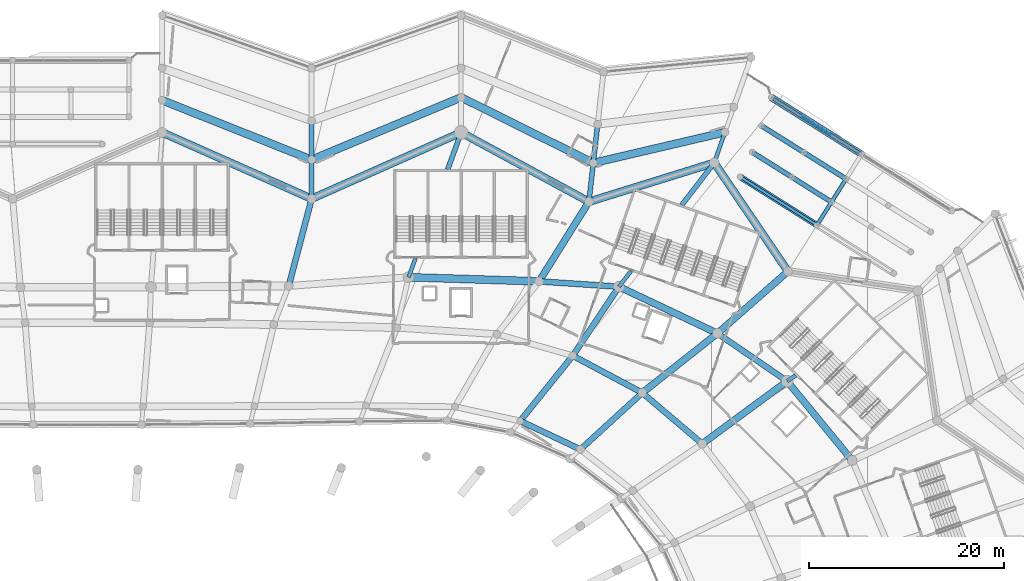
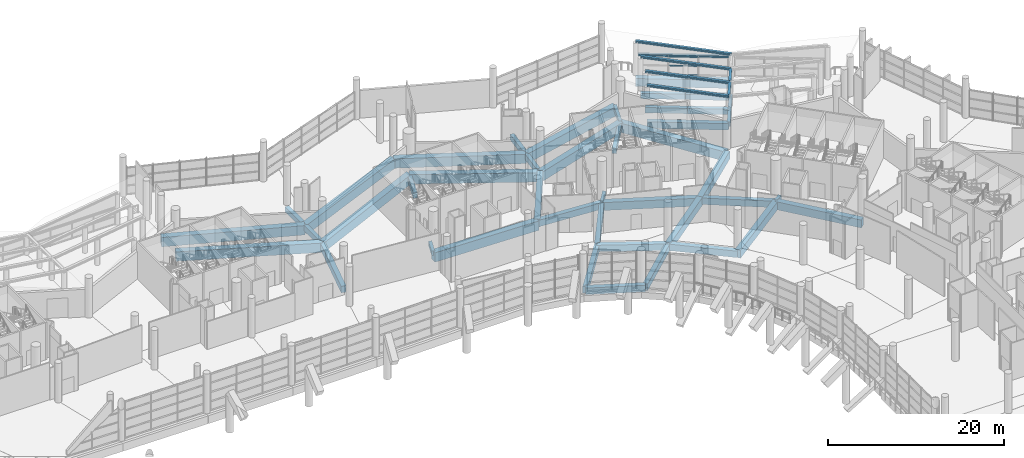
# One storey, part 105 of 271: 52 beams, 3 members, 1 element without a shape of its own.
"""IFC4 building model written with IfcOpenShell, lengths in metres."""

from ifc_helpers import new_model, si_unit, direction, frame, origin, origin_2d, place, context, subcontext, project, spatial, rectangle, i_section, extrude, material, layer, layer_set, material_profile, profile_set, type_object, element, aggregate, save


model = new_model("IFC4")

# Units and contexts
model_context = context("Model", 3, precision=1e-05, world=origin(), true_north=direction((0.0, 1.0)))
body_context = subcontext(model_context, "Body", "Model", "MODEL_VIEW")
ifc_project = project(units=[si_unit("LENGTHUNIT", "METRE"), si_unit("AREAUNIT", "SQUARE_METRE"), si_unit("VOLUMEUNIT", "CUBIC_METRE"), si_unit("PLANEANGLEUNIT", "RADIAN"), si_unit("MASSUNIT", "GRAM", prefix="KILO")], contexts=[model_context])

# Site, building, storey
site_placement = place(None, origin())
site = spatial("IfcSite", under=ifc_project, at=site_placement, CompositionType="ELEMENT")
building_placement = place(site_placement, origin())
building = spatial("IfcBuilding", under=site, at=building_placement, Name="Meseta Stadium", CompositionType="ELEMENT")
storey_placement = place(building_placement, frame((0.0, 0.0, 6.5)))
storey = spatial("IfcBuildingStorey", under=building, at=storey_placement, Name="L01", CompositionType="ELEMENT", Elevation=6.5)

# Beams
ifc_material_1 = material(Name="Steel S355", Category="steel")
ifc_material_profile_1 = material_profile(ifc_material_1, i_section(OverallWidth=0.300048828125, OverallDepth=0.300048828125, WebThickness=0.010986328125, FlangeThickness=0.01904296875, FilletRadius=0.027099609375, at=origin_2d()), Name="HEB 300")
ifc_profile_set_1 = profile_set([ifc_material_profile_1], Name="Steel S355")
beam_type_1 = type_object("IfcBeamType", Name="Gate roof beam HEB 300", PredefinedType="BEAM", material=ifc_profile_set_1)
beam_1_placement = place(storey_placement, frame((74.836181640625, 95.892578125, 3.256591796875), z_axis=(0.531913691205, 0.84656317679, -0.019965290163), x_axis=(-0.846731952713, 0.532019736715, 0.0)))
element("IfcBeam", 1, at=beam_1_placement, inside=storey, type_object=beam_type_1, Name="Gate 2 valley beam", PredefinedType="BEAM", context=body_context, shape_type="SweptSolid", body=[
    extrude(i_section(OverallWidth=0.300048828125, OverallDepth=0.300048828125, WebThickness=0.010986328125, FlangeThickness=0.01904296875, FilletRadius=0.027099609375, at=origin_2d()), origin(), (0.0, 0.0, 1.0), 2.80029296875),
])
beam_2_placement = place(storey_placement, frame((76.32568359375, 98.26318359375, 3.20068359375), z_axis=(0.531936018679, 0.846547144771, -0.020050030203), x_axis=(-0.846717353638, 0.532042971054, 0.0)))
element("IfcBeam", 2, at=beam_2_placement, inside=storey, type_object=beam_type_1, Name="Gate 2 valley beam", PredefinedType="BEAM", context=body_context, shape_type="SweptSolid", body=[
    extrude(i_section(OverallWidth=0.300048828125, OverallDepth=0.300048828125, WebThickness=0.010986328125, FlangeThickness=0.01904296875, FilletRadius=0.027099609375, at=origin_2d()), origin(), (0.0, 0.0, 1.0), 2.800537109375),
])
beam_3_placement = place(storey_placement, frame((79.15771484375, 103.333984375, 2.774658203125), z_axis=(-0.846732336333, 0.532019126168, 0.0), x_axis=(-0.532019126168, -0.846732336333, 0.0)))
element("IfcBeam", 3, at=beam_3_placement, inside=storey, type_object=beam_type_1, Name="Gate 2 head beam", PredefinedType="BEAM", context=body_context, shape_type="SweptSolid", body=[
    extrude(i_section(OverallWidth=0.300048828125, OverallDepth=0.300048828125, WebThickness=0.010986328125, FlangeThickness=0.01904296875, FilletRadius=0.027099609375, at=origin_2d()), origin(), (0.0, 0.0, 1.0), 10.333740234375),
])
ifc_material_2 = material(Name="Steel S355", Category="steel")
ifc_material_profile_2 = material_profile(ifc_material_2, i_section(OverallWidth=0.300048828125, OverallDepth=0.300048828125, WebThickness=0.010986328125, FlangeThickness=0.01904296875, FilletRadius=0.027099609375, at=origin_2d()), Name="HEB 300")
ifc_profile_set_2 = profile_set([ifc_material_profile_2], Name="Steel S355")
beam_type_2 = type_object("IfcBeamType", Name="Gate roof beam HEB 300 rafter", PredefinedType="BEAM", material=ifc_profile_set_2)
beam_4_placement = place(storey_placement, frame((74.836181640625, 95.892578125, 3.256591796875), z_axis=(-0.838547847595, 0.526890593988, 0.138649952255), x_axis=(-0.532029224003, -0.846725991574, 0.0)))
element("IfcBeam", 4, at=beam_4_placement, inside=storey, type_object=beam_type_2, Name="Gate 2 roof rafter", PredefinedType="BEAM", context=body_context, shape_type="SweptSolid", body=[
    extrude(i_section(OverallWidth=0.300048828125, OverallDepth=0.300048828125, WebThickness=0.010986328125, FlangeThickness=0.01904296875, FilletRadius=0.027099609375, at=origin_2d()), origin(), (0.0, 0.0, 1.0), 9.401123046875),
])
for number, where, z_axis, x_axis, name in (
    (5, (76.32568359375, 98.26318359375, 3.20068359375), (-0.83854094542, 0.526906039336, 0.138632999558), (-0.532043544989, -0.846716993, 0.0), "Gate 2 roof rafter"),
    (6, (72.25732421875, 100.819580078125, 3.873291015625), (-0.83854094542, 0.526906039336, 0.138632999558), (-0.532043544989, -0.846716993, 0.0), "Gate 2 roof rafter"),
):
    element("IfcBeam", number, at=place(storey_placement, frame(where, z_axis=z_axis, x_axis=x_axis)), inside=storey, type_object=beam_type_2, Name=name, PredefinedType="BEAM", context=body_context, shape_type="SweptSolid", body=[
        extrude(i_section(OverallWidth=0.300048828125, OverallDepth=0.300048828125, WebThickness=0.010986328125, FlangeThickness=0.01904296875, FilletRadius=0.027099609375, at=origin_2d()), origin(), (0.0, 0.0, 1.0), 4.851806640625),
    ])
beam_5_placement = place(storey_placement, frame((77.8154296875, 100.634033203125, 3.14453125), z_axis=(-0.838520268378, 0.526929684742, 0.13866818978), x_axis=(-0.532070067872, -0.846700326488, 0.0)))
element("IfcBeam", 7, at=beam_5_placement, inside=storey, type_object=beam_type_2, Name="Gate 2 roof rafter", PredefinedType="BEAM", context=body_context, shape_type="SweptSolid", body=[
    extrude(i_section(OverallWidth=0.300048828125, OverallDepth=0.300048828125, WebThickness=0.010986328125, FlangeThickness=0.01904296875, FilletRadius=0.027099609375, at=origin_2d()), origin(), (0.0, 0.0, 1.0), 5.17431640625),
])
beam_6_placement = place(storey_placement, frame((73.4765625, 103.360595703125, 3.862060546875), z_axis=(-0.838555120685, 0.526874755679, 0.138666150886), x_axis=(-0.532014449592, -0.846735274702, 0.0)))
element("IfcBeam", 8, at=beam_6_placement, inside=storey, type_object=beam_type_2, Name="Gate 2 roof rafter", PredefinedType="BEAM", context=body_context, shape_type="SweptSolid", body=[
    extrude(i_section(OverallWidth=0.300048828125, OverallDepth=0.300048828125, WebThickness=0.010986328125, FlangeThickness=0.01904296875, FilletRadius=0.027099609375, at=origin_2d()), origin(), (0.0, 0.0, 1.0), 5.174560546875),
])
beam_7_placement = place(storey_placement, frame((79.41162109375, 103.17431640625, 3.084716796875), z_axis=(-0.838543051713, 0.526897818913, 0.13865150143), x_axis=(-0.532036635909, -0.846721334354, 0.0)))
element("IfcBeam", 9, at=beam_7_placement, inside=storey, type_object=beam_type_2, Name="Gate 2 roof rafter", PredefinedType="BEAM", context=body_context, shape_type="SweptSolid", body=[
    extrude(i_section(OverallWidth=0.300048828125, OverallDepth=0.300048828125, WebThickness=0.010986328125, FlangeThickness=0.01904296875, FilletRadius=0.027099609375, at=origin_2d()), origin(), (0.0, 0.0, 1.0), 11.040283203125),
])
ifc_material_3 = material(Name="Concrete C40/50", Category="concrete")
ifc_material_profile_3 = material_profile(ifc_material_3, rectangle(XDim=0.39990234375, YDim=0.60009765625, at=origin_2d()), Name="RC 400x600")
ifc_profile_set_3 = profile_set([ifc_material_profile_3], Name="Concrete C40/50")
beam_type_3 = type_object("IfcBeamType", Name="RC beam 400x600", PredefinedType="BEAM", material=ifc_profile_set_3)
beam_8_placement = place(storey_placement, frame((71.775390625, 79.888916015625, -0.64990234375), z_axis=(0.821959126475, 0.569546481337, 0.0), x_axis=(-0.569546481337, 0.821959126475, 0.0)))
element("IfcBeam", 10, at=beam_8_placement, inside=storey, type_object=beam_type_3, Name="L01 radial beam frame 12 line P to R", PredefinedType="BEAM", context=body_context, shape_type="SweptSolid", body=[
    extrude(rectangle(XDim=0.39990234375, YDim=0.60009765625, at=origin_2d()), origin(), (0.0, 0.0, 1.0), 1.05615234375),
])
beam_9_placement = place(storey_placement, frame((54.523193359375, 89.579345703125, -0.64990234375), z_axis=(0.60958282029, 0.792722388486, 0.0), x_axis=(-0.792722388486, 0.60958282029, 0.0)))
element("IfcBeam", 11, at=beam_9_placement, inside=storey, type_object=beam_type_3, Name="L01 radial beam frame 14 line P to R", PredefinedType="BEAM", context=body_context, shape_type="SweptSolid", body=[
    extrude(rectangle(XDim=0.39990234375, YDim=0.60009765625, at=origin_2d()), origin(), (0.0, 0.0, 1.0), 2.029052734375),
])
beam_10_placement = place(storey_placement, frame((32.944091796875, 90.551025390625, -0.64990234375), z_axis=(0.341128443291, 0.940016694095, 0.0), x_axis=(-0.940016694095, 0.341128443291, 0.0)))
element("IfcBeam", 12, at=beam_10_placement, inside=storey, type_object=beam_type_3, Name="L01 radial beam frame 16 line P to R", PredefinedType="BEAM", context=body_context, shape_type="SweptSolid", body=[
    extrude(rectangle(XDim=0.39990234375, YDim=0.60009765625, at=origin_2d()), origin(), (0.0, 0.0, 1.0), 2.0732421875),
])
beam_11_placement = place(storey_placement, frame((64.297607421875, 102.291015625, -0.64990234375), z_axis=(0.330229180525, 0.943900783096, 0.0), x_axis=(-0.943900783096, 0.330229180525, 0.0)))
element("IfcBeam", 13, at=beam_11_placement, inside=storey, type_object=beam_type_3, Name="L01 radial beam frame 14 line R to M", PredefinedType="BEAM", context=body_context, shape_type="SweptSolid", body=[
    extrude(rectangle(XDim=0.39990234375, YDim=0.60009765625, at=origin_2d()), origin(), (0.0, 0.0, 1.0), 3.31884765625),
])
beam_12_placement = place(storey_placement, frame((74.836181640625, 95.892578125, -0.64990234375), z_axis=(0.532019736715, 0.846731952713, 0.0), x_axis=(-0.846731952713, 0.532019736715, 0.0)))
element("IfcBeam", 14, at=beam_12_placement, inside=storey, type_object=beam_type_3, Name="Gate 2 floor beam", PredefinedType="BEAM", context=body_context, shape_type="SweptSolid", body=[
    extrude(rectangle(XDim=0.39990234375, YDim=0.60009765625, at=origin_2d()), origin(), (0.0, 0.0, 1.0), 2.7998046875),
])
beam_13_placement = place(storey_placement, frame((76.32568359375, 98.26318359375, -0.64990234375), z_axis=(0.532042971054, 0.846717353638, 0.0), x_axis=(-0.846717353638, 0.532042971054, 0.0)))
element("IfcBeam", 15, at=beam_13_placement, inside=storey, type_object=beam_type_3, Name="Gate 2 floor beam", PredefinedType="BEAM", context=body_context, shape_type="SweptSolid", body=[
    extrude(rectangle(XDim=0.39990234375, YDim=0.60009765625, at=origin_2d()), origin(), (0.0, 0.0, 1.0), 2.800048828125),
])
ifc_material_4 = material(Name="Concrete C40/50", Category="concrete")
ifc_material_profile_4 = material_profile(ifc_material_4, rectangle(XDim=0.5, YDim=0.75, at=origin_2d()), Name="RC 500x750")
ifc_profile_set_4 = profile_set([ifc_material_profile_4], Name="Concrete C40/50")
beam_type_4 = type_object("IfcBeamType", Name="RC beam 500x750", PredefinedType="BEAM", material=ifc_profile_set_4)
beam_14_placement = place(storey_placement, frame((60.95947265625, 97.949951171875, -0.72509765625), z_axis=(0.609579324643, 0.792725076536, 0.0), x_axis=(-0.792725076536, 0.609579324643, 0.0)))
element("IfcBeam", 16, at=beam_14_placement, inside=storey, type_object=beam_type_4, Name="L01 radial beam frame 14 line P to R", PredefinedType="BEAM", context=body_context, shape_type="SweptSolid", body=[
    extrude(rectangle(XDim=0.5, YDim=0.75, at=origin_2d()), origin(), (0.0, 0.0, 1.0), 5.47607421875),
])
beam_15_placement = place(storey_placement, frame((36.9541015625, 101.60009765625, -0.72509765625), z_axis=(0.341175633366, 0.939999567658, 0.0), x_axis=(-0.939999567658, 0.341175633366, 0.0)))
element("IfcBeam", 17, at=beam_15_placement, inside=storey, type_object=beam_type_4, Name="L01 radial beam frame 16 line P to R", PredefinedType="BEAM", context=body_context, shape_type="SweptSolid", body=[
    extrude(rectangle(XDim=0.5, YDim=0.75, at=origin_2d()), origin(), (0.0, 0.0, 1.0), 4.042236328125),
])
for number, where, z_axis, x_axis, name in (
    (18, (51.44140625, 98.29443359375, -0.72509765625), (0.111998942203, 0.993708325891, 0.0), (-0.993708325891, 0.111998942203, 0.0), "L01 radial beam frame 15 line R to M"),
    (19, (51.889404296875, 102.269287109375, -0.72509765625), (0.111938672346, 0.993715116939, 0.0), (-0.993715116939, 0.111938672346, 0.0), "L01 radial beam frame 15 line M to Q"),
    (20, (23.0, 98.60009765625, -0.72509765625), (0.0, 1.0, 0.0), (-1.0, 0.0, 0.0), "L01 radial beam frame 17 line R to M"),
    (21, (23.0, 102.60009765625, -0.72509765625), (0.0, 1.0, 0.0), (-1.0, 0.0, 0.0), "L01 radial beam frame 17 line M to Q"),
):
    element("IfcBeam", number, at=place(storey_placement, frame(where, z_axis=z_axis, x_axis=x_axis)), inside=storey, type_object=beam_type_4, Name=name, PredefinedType="BEAM", context=body_context, shape_type="SweptSolid", body=[
        extrude(rectangle(XDim=0.5, YDim=0.75, at=origin_2d()), origin(), (0.0, 0.0, 1.0), 4.0),
    ])
for number, where, z_axis, x_axis, name in (
    (22, (76.32568359375, 98.26318359375, -0.72509765625), (-0.846716993, 0.532043544989, 0.0), (-0.532043544989, -0.846716993, 0.0), "Gate 2 floor beam"),
    (23, (72.25732421875, 100.819580078125, -0.72509765625), (-0.846716993, 0.532043544989, 0.0), (-0.532043544989, -0.846716993, 0.0), "Gate 2 floor beam"),
):
    element("IfcBeam", number, at=place(storey_placement, frame(where, z_axis=z_axis, x_axis=x_axis)), inside=storey, type_object=beam_type_4, Name=name, PredefinedType="BEAM", context=body_context, shape_type="SweptSolid", body=[
        extrude(rectangle(XDim=0.5, YDim=0.75, at=origin_2d()), origin(), (0.0, 0.0, 1.0), 4.804931640625),
    ])
for number, where, z_axis, x_axis, name in (
    (24, (77.8154296875, 100.634033203125, -0.72509765625), (-0.846700326488, 0.532070067872, 0.0), (-0.532070067872, -0.846700326488, 0.0), "Gate 2 floor beam"),
    (25, (73.4765625, 103.360595703125, -0.72509765625), (-0.846735274702, 0.532014449592, 0.0), (-0.532014449592, -0.846735274702, 0.0), "Gate 2 floor beam"),
):
    element("IfcBeam", number, at=place(storey_placement, frame(where, z_axis=z_axis, x_axis=x_axis)), inside=storey, type_object=beam_type_4, Name=name, PredefinedType="BEAM", context=body_context, shape_type="SweptSolid", body=[
        extrude(rectangle(XDim=0.5, YDim=0.75, at=origin_2d()), origin(), (0.0, 0.0, 1.0), 5.12451171875),
    ])
ifc_material_5 = material(Name="Concrete C40/50", Category="concrete")
ifc_material_profile_5 = material_profile(ifc_material_5, rectangle(XDim=0.60009765625, YDim=0.89990234375, at=origin_2d()), Name="RC 600x900")
ifc_profile_set_5 = profile_set([ifc_material_profile_5], Name="Concrete C40/50")
beam_type_5 = type_object("IfcBeamType", Name="RC beam 600x900", PredefinedType="BEAM", material=ifc_profile_set_5)
beam_16_placement = place(storey_placement, frame((63.068115234375, 73.469970703125, -0.800048828125), z_axis=(-0.762201166724, 0.647340236231, 0.0), x_axis=(-0.647340236231, -0.762201166724, 0.0)))
element("IfcBeam", 26, at=beam_16_placement, inside=storey, type_object=beam_type_5, Name="L01 ring beam frame 12 line E", PredefinedType="BEAM", context=body_context, shape_type="SweptSolid", body=[
    extrude(rectangle(XDim=0.60009765625, YDim=0.89990234375, at=origin_2d()), origin(), (0.0, 0.0, 1.0), 8.07275390625),
])
beam_17_placement = place(storey_placement, frame((71.775390625, 79.888916015625, -0.800048828125), z_axis=(-0.824813247637, 0.565405258662, 0.0), x_axis=(-0.565405258662, -0.824813247637, 0.0)))
element("IfcBeam", 27, at=beam_17_placement, inside=storey, type_object=beam_type_5, Name="L01 ring beam frame 12 line P", PredefinedType="BEAM", context=body_context, shape_type="SweptSolid", body=[
    extrude(rectangle(XDim=0.60009765625, YDim=0.89990234375, at=origin_2d()), origin(), (0.0, 0.0, 1.0), 8.672607421875),
])
beam_18_placement = place(storey_placement, frame((50.571533203125, 72.888916015625, -0.800048828125), z_axis=(-0.904340564666, 0.426811601412, 0.0), x_axis=(-0.426811601412, -0.904340564666, 0.0)))
element("IfcBeam", 28, at=beam_18_placement, inside=storey, type_object=beam_type_5, Name="L01 ring beam frame 13 line D", PredefinedType="BEAM", context=body_context, shape_type="SweptSolid", body=[
    extrude(rectangle(XDim=0.60009765625, YDim=0.89990234375, at=origin_2d()), origin(), (0.0, 0.0, 1.0), 6.83544921875),
])
beam_19_placement = place(storey_placement, frame((56.9150390625, 78.69580078125, -0.800048828125), z_axis=(-0.882172948557, 0.47092556613, 0.0), x_axis=(-0.47092556613, -0.882172948557, 0.0)))
element("IfcBeam", 29, at=beam_19_placement, inside=storey, type_object=beam_type_5, Name="L01 ring beam frame 13 line E", PredefinedType="BEAM", context=body_context, shape_type="SweptSolid", body=[
    extrude(rectangle(XDim=0.60009765625, YDim=0.89990234375, at=origin_2d()), origin(), (0.0, 0.0, 1.0), 8.075439453125),
])
beam_20_placement = place(storey_placement, frame((54.523193359375, 89.579345703125, -0.800048828125), z_axis=(-0.997778045289, 0.066625613231, 0.0), x_axis=(-0.066625613231, -0.997778045289, 0.0)))
element("IfcBeam", 30, at=beam_20_placement, inside=storey, type_object=beam_type_5, Name="L01 ring beam frame 14 line P", PredefinedType="BEAM", context=body_context, shape_type="SweptSolid", body=[
    extrude(rectangle(XDim=0.60009765625, YDim=0.89990234375, at=origin_2d()), origin(), (0.0, 0.0, 1.0), 8.208251953125),
])
for number, where, z_axis, x_axis, name in (
    (31, (50.571533203125, 72.888916015625, -0.800048828125), (0.737617073742, 0.675219262554, 0.0), (-0.675219262554, 0.737617073742, 0.0), "L01 radial beam frame 13 line D to E"),
    (32, (44.389892578125, 75.806396484375, -0.800048828125), (0.628037063111, 0.778183427836, 0.0), (-0.778183427836, 0.628037063111, 0.0), "L01 radial beam frame 14 line D to E"),
):
    element("IfcBeam", number, at=place(storey_placement, frame(where, z_axis=z_axis, x_axis=x_axis)), inside=storey, type_object=beam_type_5, Name=name, PredefinedType="BEAM", context=body_context, shape_type="SweptSolid", body=[
        extrude(rectangle(XDim=0.60009765625, YDim=0.89990234375, at=origin_2d()), origin(), (0.0, 0.0, 1.0), 8.60009765625),
    ])
beam_21_placement = place(storey_placement, frame((49.791015625, 82.498779296875, -0.800048828125), z_axis=(0.555659080942, 0.831410239152, 0.0), x_axis=(-0.831410239152, 0.555659080942, 0.0)))
element("IfcBeam", 33, at=beam_21_placement, inside=storey, type_object=beam_type_5, Name="L01 radial beam frame 14 line E to P", PredefinedType="BEAM", context=body_context, shape_type="SweptSolid", body=[
    extrude(rectangle(XDim=0.60009765625, YDim=0.89990234375, at=origin_2d()), origin(), (0.0, 0.0, 1.0), 8.516357421875),
])
beam_22_placement = place(storey_placement, frame((20.649658203125, 89.65625, -0.800048828125), z_axis=(0.254159308712, 0.967162367855, 0.0), x_axis=(-0.967162367855, 0.254159308712, 0.0)))
element("IfcBeam", 34, at=beam_22_placement, inside=storey, type_object=beam_type_5, Name="L01 radial beam frame 17 line P to R", PredefinedType="BEAM", context=body_context, shape_type="SweptSolid", body=[
    extrude(rectangle(XDim=0.60009765625, YDim=0.89990234375, at=origin_2d()), origin(), (0.0, 0.0, 1.0), 9.24755859375),
])
beam_23_placement = place(storey_placement, frame((74.836181640625, 95.892578125, -0.800048828125), z_axis=(-0.846725991574, 0.532029224003, 0.0), x_axis=(-0.532029224003, -0.846725991574, 0.0)))
element("IfcBeam", 35, at=beam_23_placement, inside=storey, type_object=beam_type_5, Name="Gate 2 floor beam", PredefinedType="BEAM", context=body_context, shape_type="SweptSolid", body=[
    extrude(rectangle(XDim=0.60009765625, YDim=0.89990234375, at=origin_2d()), origin(), (0.0, 0.0, 1.0), 9.310302734375),
])
ifc_material_6 = material(Name="Concrete C40/50", Category="concrete")
ifc_material_profile_6 = material_profile(ifc_material_6, rectangle(XDim=0.699951171875, YDim=1.10009765625, at=origin_2d()), Name="RC 700x1100")
ifc_profile_set_6 = profile_set([ifc_material_profile_6], Name="Concrete C40/50")
beam_type_6 = type_object("IfcBeamType", Name="RC beam 700x1100", PredefinedType="BEAM", material=ifc_profile_set_6)
beam_24_placement = place(storey_placement, frame((78.4453125, 71.756103515625, -0.89990234375), z_axis=(-0.634137323649, 0.773220443829, 0.0), x_axis=(-0.773220443829, -0.634137323649, 0.0)))
element("IfcBeam", 36, at=beam_24_placement, inside=storey, type_object=beam_type_6, Name="L01 ring beam frame 11 line P", PredefinedType="BEAM", context=body_context, shape_type="SweptSolid", body=[
    extrude(rectangle(XDim=0.699951171875, YDim=1.10009765625, at=origin_2d()), origin(), (0.0, 0.0, 1.0), 10.51806640625),
])
beam_25_placement = place(storey_placement, frame((64.6220703125, 84.79248046875, -0.89990234375), z_axis=(-0.903627495473, 0.428319214402, 0.0), x_axis=(-0.428319214402, -0.903627495473, 0.0)))
element("IfcBeam", 37, at=beam_25_placement, inside=storey, type_object=beam_type_6, Name="L01 ring beam frame 13 line P", PredefinedType="BEAM", context=body_context, shape_type="SweptSolid", body=[
    extrude(rectangle(XDim=0.699951171875, YDim=1.10009765625, at=origin_2d()), origin(), (0.0, 0.0, 1.0), 11.176025390625),
])
beam_26_placement = place(storey_placement, frame((63.068115234375, 73.469970703125, -0.89990234375), z_axis=(0.804920808124, 0.593382248344, 0.0), x_axis=(-0.593382248344, 0.804920808124, 0.0)))
element("IfcBeam", 38, at=beam_26_placement, inside=storey, type_object=beam_type_6, Name="L01 radial beam frame 12 line E to P", PredefinedType="BEAM", context=body_context, shape_type="SweptSolid", body=[
    extrude(rectangle(XDim=0.699951171875, YDim=1.10009765625, at=origin_2d()), origin(), (0.0, 0.0, 1.0), 10.817626953125),
])
beam_27_placement = place(storey_placement, frame((56.9150390625, 78.69580078125, -0.89990234375), z_axis=(0.784279521113, 0.620407634352, 0.0), x_axis=(-0.620407634352, 0.784279521113, 0.0)))
element("IfcBeam", 39, at=beam_27_placement, inside=storey, type_object=beam_type_6, Name="L01 radial beam frame 13 line E to P", PredefinedType="BEAM", context=body_context, shape_type="SweptSolid", body=[
    extrude(rectangle(XDim=0.699951171875, YDim=1.10009765625, at=origin_2d()), origin(), (0.0, 0.0, 1.0), 9.826904296875),
])
beam_28_placement = place(storey_placement, frame((64.6220703125, 84.79248046875, -0.89990234375), z_axis=(0.751128714449, 0.66015578035, 0.0), x_axis=(-0.66015578035, 0.751128714449, 0.0)))
element("IfcBeam", 40, at=beam_28_placement, inside=storey, type_object=beam_type_6, Name="L01 radial beam frame 13 line P to R", PredefinedType="BEAM", context=body_context, shape_type="SweptSolid", body=[
    extrude(rectangle(XDim=0.699951171875, YDim=1.10009765625, at=origin_2d()), origin(), (0.0, 0.0, 1.0), 9.631591796875),
])
beam_29_placement = place(storey_placement, frame((46.333251953125, 90.126220703125, -0.89990234375), z_axis=(0.530224433937, 0.847857328597, 0.0), x_axis=(-0.847857328597, 0.530224433937, 0.0)))
element("IfcBeam", 41, at=beam_29_placement, inside=storey, type_object=beam_type_6, Name="L01 radial beam frame 15 line P to R", PredefinedType="BEAM", context=body_context, shape_type="SweptSolid", body=[
    extrude(rectangle(XDim=0.699951171875, YDim=1.10009765625, at=origin_2d()), origin(), (0.0, 0.0, 1.0), 9.634033203125),
])
beam_30_placement = place(storey_placement, frame((79.41162109375, 103.17431640625, -0.89990234375), z_axis=(-0.846721334354, 0.532036635909, 0.0), x_axis=(-0.532036635909, -0.846721334354, 0.0)))
element("IfcBeam", 42, at=beam_30_placement, inside=storey, type_object=beam_type_6, Name="Gate 2 floor beam", PredefinedType="BEAM", context=body_context, shape_type="SweptSolid", body=[
    extrude(rectangle(XDim=0.699951171875, YDim=1.10009765625, at=origin_2d()), origin(), (0.0, 0.0, 1.0), 10.933837890625),
])
ifc_material_7 = material(Name="Concrete C40/50", Category="concrete")
ifc_material_profile_7 = material_profile(ifc_material_7, rectangle(XDim=0.800048828125, YDim=1.300048828125, at=origin_2d()), Name="RC 800x1300")
ifc_profile_set_7 = profile_set([ifc_material_profile_7], Name="Concrete C40/50")
beam_type_7 = type_object("IfcBeamType", Name="RC beam 800x1300", PredefinedType="BEAM", material=ifc_profile_set_7)
beam_31_placement = place(storey_placement, frame((71.856689453125, 91.15087890625, -1.0), z_axis=(-0.561486340317, 0.827486005705, 0.0), x_axis=(-0.827486005705, -0.561486340317, 0.0)))
element("IfcBeam", 43, at=beam_31_placement, inside=storey, type_object=beam_type_7, Name="L01 ring beam frame 13 line R", PredefinedType="BEAM", context=body_context, shape_type="SweptSolid", body=[
    extrude(rectangle(XDim=0.800048828125, YDim=1.300048828125, at=origin_2d()), origin(), (0.0, 0.0, 1.0), 13.462646484375),
])
beam_32_placement = place(storey_placement, frame((64.297607421875, 102.291015625, -1.0), z_axis=(-0.954922594045, -0.296854913016, 0.0), x_axis=(0.296854913016, -0.954922594045, 0.0)))
element("IfcBeam", 44, at=beam_32_placement, inside=storey, type_object=beam_type_7, Name="L01 ring beam frame 14 line R", PredefinedType="BEAM", context=body_context, shape_type="SweptSolid", body=[
    extrude(rectangle(XDim=0.800048828125, YDim=1.300048828125, at=origin_2d()), origin(), (0.0, 0.0, 1.0), 13.463134765625),
])
beam_33_placement = place(storey_placement, frame((46.333251953125, 90.126220703125, -1.0), z_axis=(-0.999497062289, 0.031711551154, 0.0), x_axis=(-0.031711551154, -0.999497062289, 0.0)))
element("IfcBeam", 45, at=beam_33_placement, inside=storey, type_object=beam_type_7, Name="L01 ring beam frame 15 line P", PredefinedType="BEAM", context=body_context, shape_type="SweptSolid", body=[
    extrude(rectangle(XDim=0.800048828125, YDim=1.300048828125, at=origin_2d()), origin(), (0.0, 0.0, 1.0), 13.39599609375),
])
beam_34_placement = place(storey_placement, frame((51.44140625, 98.29443359375, -1.0), z_axis=(-0.879145348638, 0.476553728311, 0.0), x_axis=(-0.476553728311, -0.879145348638, 0.0)))
element("IfcBeam", 46, at=beam_34_placement, inside=storey, type_object=beam_type_7, Name="L01 ring beam frame 15 line R", PredefinedType="BEAM", context=body_context, shape_type="SweptSolid", body=[
    extrude(rectangle(XDim=0.800048828125, YDim=1.300048828125, at=origin_2d()), origin(), (0.0, 0.0, 1.0), 14.91015625),
])
for number, where, z_axis, x_axis, name in (
    (47, (38.333251953125, 105.39990234375, -1.0), (-0.914142564088, -0.405392861953, 0.0), (0.405392861953, -0.914142564088, 0.0), "L01 ring beam frame 16 line R"),
    (48, (23.0, 98.60009765625, -1.0), (-0.914142564088, 0.405392861953, 0.0), (-0.405392861953, -0.914142564088, 0.0), "L01 ring beam frame 17 line R"),
):
    element("IfcBeam", number, at=place(storey_placement, frame(where, z_axis=z_axis, x_axis=x_axis)), inside=storey, type_object=beam_type_7, Name=name, PredefinedType="BEAM", context=body_context, shape_type="SweptSolid", body=[
        extrude(rectangle(XDim=0.800048828125, YDim=1.300048828125, at=origin_2d()), origin(), (0.0, 0.0, 1.0), 16.7734375),
    ])
beam_35_placement = place(storey_placement, frame((65.3935546875, 105.423583984375, -1.0), z_axis=(-0.973788071175, -0.227457232108, 0.0), x_axis=(0.227457232108, -0.973788071175, 0.0)))
element("IfcBeam", 49, at=beam_35_placement, inside=storey, type_object=beam_type_7, Name="L01 ring beam frame 14 line M", PredefinedType="BEAM", context=body_context, shape_type="SweptSolid", body=[
    extrude(rectangle(XDim=0.800048828125, YDim=1.300048828125, at=origin_2d()), origin(), (0.0, 0.0, 1.0), 13.86767578125),
])
beam_36_placement = place(storey_placement, frame((51.889404296875, 102.269287109375, -1.0), z_axis=(-0.895675432746, 0.444708352941, 0.0), x_axis=(-0.444708352941, -0.895675432746, 0.0)))
element("IfcBeam", 50, at=beam_36_placement, inside=storey, type_object=beam_type_7, Name="L01 ring beam frame 15 line M", PredefinedType="BEAM", context=body_context, shape_type="SweptSolid", body=[
    extrude(rectangle(XDim=0.800048828125, YDim=1.300048828125, at=origin_2d()), origin(), (0.0, 0.0, 1.0), 15.135009765625),
])
beam_37_placement = place(storey_placement, frame((38.333251953125, 109.0, -1.0), z_axis=(-0.922840692895, -0.385181847362, 0.0), x_axis=(0.385181847362, -0.922840692895, 0.0)))
element("IfcBeam", 51, at=beam_37_placement, inside=storey, type_object=beam_type_7, Name="L01 ring beam frame 16 line M", PredefinedType="BEAM", context=body_context, shape_type="SweptSolid", body=[
    extrude(rectangle(XDim=0.800048828125, YDim=1.300048828125, at=origin_2d()), origin(), (0.0, 0.0, 1.0), 16.615234375),
])
beam_38_placement = place(storey_placement, frame((23.0, 102.60009765625, -1.0), z_axis=(-0.929173963419, 0.369642727108, 0.0), x_axis=(-0.369642727108, -0.929173963419, 0.0)))
element("IfcBeam", 52, at=beam_38_placement, inside=storey, type_object=beam_type_7, Name="L01 ring beam frame 17 line M", PredefinedType="BEAM", context=body_context, shape_type="SweptSolid", body=[
    extrude(rectangle(XDim=0.800048828125, YDim=1.300048828125, at=origin_2d()), origin(), (0.0, 0.0, 1.0), 16.501953125),
])

# Curtain wall, members
ifc_material_8 = material(Name="Aluminium", Category="aluminium")
ifc_layer = layer(ifc_material_8, 0.199951171875)
ifc_layer_set = layer_set([ifc_layer], Name="Gate hall curtain wall")
curtain_wall_type = type_object("IfcCurtainWallType", Name="Gate hall curtain wall", PredefinedType="NOTDEFINED", material=ifc_layer_set)
curtain_wall_placement = place(storey_placement, origin())
curtain_wall = element("IfcCurtainWall", 53, at=curtain_wall_placement, inside=storey, type_object=curtain_wall_type, Name="Gate 2 hall glazing", PredefinedType="NOTDEFINED")
ifc_material_9 = material(Name="Aluminium", Category="aluminium")
ifc_material_profile_8 = material_profile(ifc_material_9, rectangle(XDim=0.06005859375, YDim=0.14990234375, at=origin_2d()), Name="CW 60x150")
ifc_profile_set_8 = profile_set([ifc_material_profile_8], Name="Aluminium")
member_type = type_object("IfcMemberType", Name="Ring CW transom 60x150", PredefinedType="USERDEFINED", material=ifc_profile_set_8)
member_1_placement = place(storey_placement, frame((73.349853515625, 106.983154296875, 0.074951171875), z_axis=(0.846707113911, -0.532059266673, 0.0), x_axis=(0.532059266673, 0.846707113911, 0.0)))
member_1 = element("IfcMember", 54, at=member_1_placement, type_object=member_type, Name="CWG1 transom 2.1", ObjectType="TRANSOM", PredefinedType="USERDEFINED", context=body_context, shape_type="SweptSolid", body=[
    extrude(rectangle(XDim=0.06005859375, YDim=0.14990234375, at=origin_2d()), origin(), (0.0, 0.0, 1.0), 3.384521484375),
])
member_2_placement = place(storey_placement, frame((73.349853515625, 106.983154296875, 1.312255859375), z_axis=(0.846707113911, -0.532059266673, 0.0), x_axis=(0.532059266673, 0.846707113911, 0.0)))
member_2 = element("IfcMember", 55, at=member_2_placement, type_object=member_type, Name="CWG1 transom 2.2", ObjectType="TRANSOM", PredefinedType="USERDEFINED", context=body_context, shape_type="SweptSolid", body=[
    extrude(rectangle(XDim=0.06005859375, YDim=0.14990234375, at=origin_2d()), origin(), (0.0, 0.0, 1.0), 3.384521484375),
])
member_3_placement = place(storey_placement, frame((73.349853515625, 106.983154296875, 2.549560546875), z_axis=(0.846707113911, -0.532059266673, 0.0), x_axis=(0.532059266673, 0.846707113911, 0.0)))
member_3 = element("IfcMember", 56, at=member_3_placement, type_object=member_type, Name="CWG1 transom 2.3", ObjectType="TRANSOM", PredefinedType="USERDEFINED", context=body_context, shape_type="SweptSolid", body=[
    extrude(rectangle(XDim=0.06005859375, YDim=0.14990234375, at=origin_2d()), origin(), (0.0, 0.0, 1.0), 3.384521484375),
])
aggregate(curtain_wall, [member_1, member_2, member_3])

save(model, "model.ifc")
